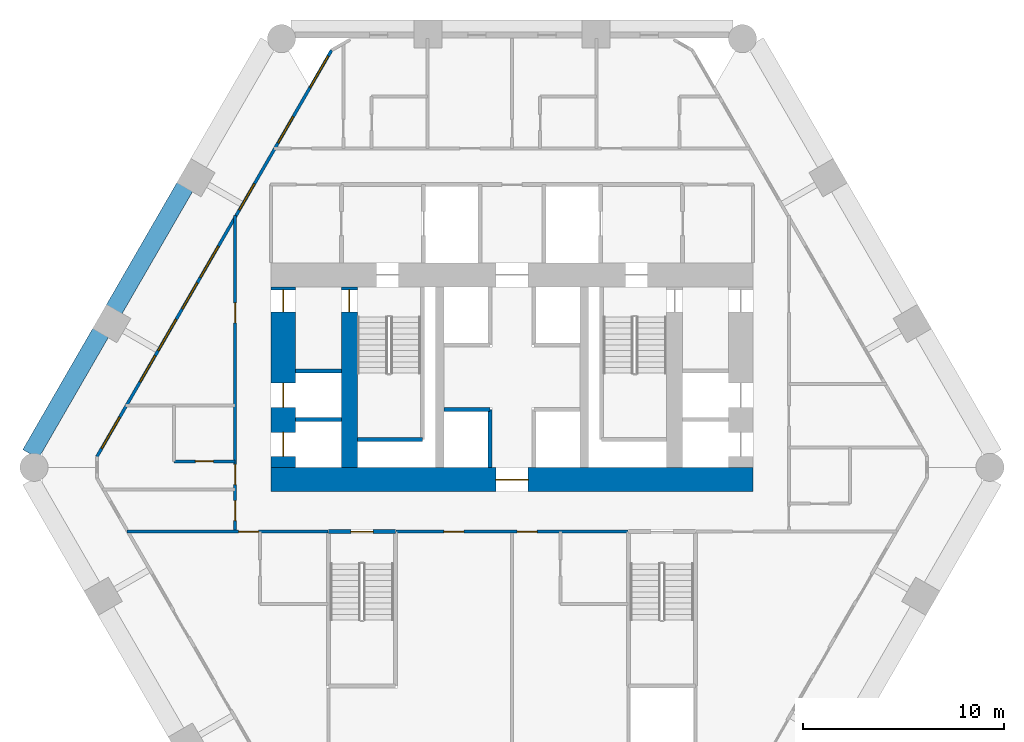
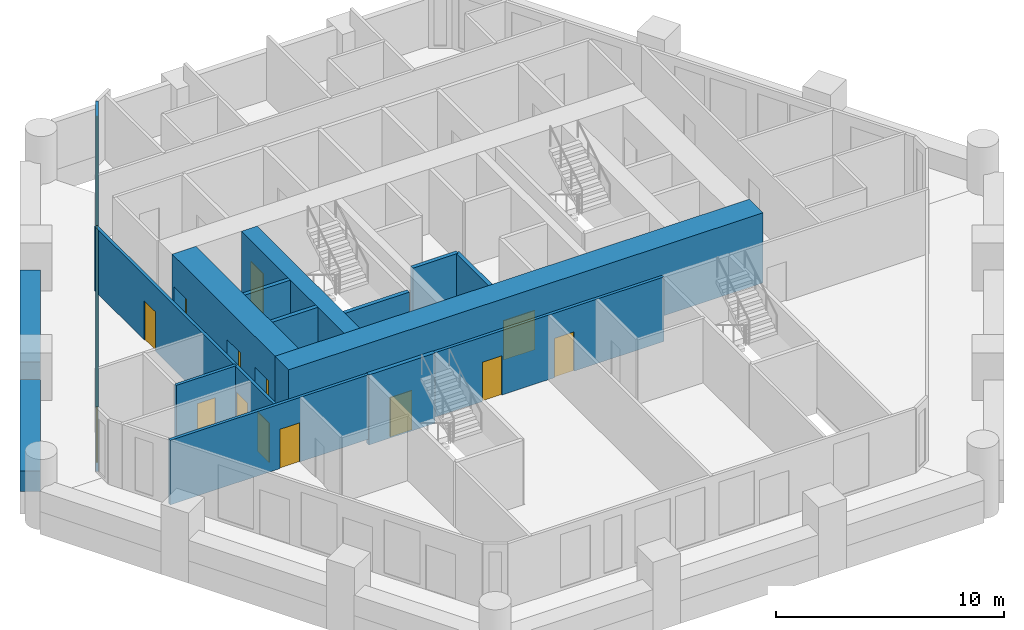
# One storey, part 3 of 8: 16 walls, 13 doors, 8 windows, 21 openings.
"""IFC4 building model written with IfcOpenShell, lengths in metres."""

from ifc_helpers import new_model, si_unit, direction, frame, frame_2d, origin, place, context, subcontext, project, spatial, rectangle, extrude, material, layer, layer_set, type_object, element, fill, save


model = new_model("IFC4")

# Units and contexts
model_context = context("Model", 3, precision=1e-05, world=origin(), true_north=direction((0.0, 1.0)))
body_context = subcontext(model_context, "Body", "Model", "MODEL_VIEW")
ifc_project = project(units=[si_unit("LENGTHUNIT", "METRE"), si_unit("AREAUNIT", "SQUARE_METRE"), si_unit("VOLUMEUNIT", "CUBIC_METRE"), si_unit("PLANEANGLEUNIT", "RADIAN"), si_unit("MASSUNIT", "GRAM", prefix="KILO")], contexts=[model_context])

# Site, building, storey
site_placement = place(None, origin())
site = spatial("IfcSite", under=ifc_project, at=site_placement, CompositionType="ELEMENT")
building_placement = place(site_placement, origin())
building = spatial("IfcBuilding", under=site, at=building_placement, Name="Ostrander Bayou Hotel Tower", CompositionType="ELEMENT")
storey_placement = place(building_placement, frame((0.0, 0.0, 54.25)))
storey = spatial("IfcBuildingStorey", under=building, at=storey_placement, Name="L13", CompositionType="ELEMENT", Elevation=54.25)

# Wall, opening, door
ifc_material_1 = material(Name="Concrete f'c 70 MPa", Category="concrete")
ifc_layer_1 = layer(ifc_material_1, 1.199951171875)
ifc_layer_set_1 = layer_set([ifc_layer_1], Name="CW1 core wall 1200 mm f'c 70 MPa")
wall_type_1 = type_object("IfcWallType", Name="CW1 core wall 1200 mm f'c 70 MPa", PredefinedType="SHEAR", material=ifc_layer_set_1)
wall_1_placement = place(storey_placement, frame((-12.0, -1.10009765625, -0.300048828125), z_axis=(0.0, 0.0, 1.0), x_axis=(1.0, 0.0, 0.0)))
wall_1 = element("IfcWall", 1, at=wall_1_placement, inside=storey, type_object=wall_type_1, Name="CW1 L13 S", PredefinedType="SHEAR", context=body_context, shape_type="SweptSolid", body=[
    extrude(rectangle(XDim=24.0, YDim=1.199951171875, at=frame_2d((12.0, 0.0))), origin(), (0.0, 0.0, 1.0), 3.75),
])
opening_1_placement = place(wall_1_placement, frame((11.199951171875, 0.0, 0.0)))
opening_1 = element("IfcOpeningElement", 2, at=opening_1_placement, cuts=wall_1, Name="Opening T12-001", PredefinedType="OPENING", context=body_context, shape_type="SweptSolid", body=[
    extrude(rectangle(XDim=1.60009765625, YDim=2.10009765625, at=frame_2d((0.800048828125, 1.050048828125))), frame((0.0, 0.60009765625, 0.0), z_axis=(0.0, -1.0, 0.0), x_axis=(1.0, 0.0, 0.0)), (0.0, 0.0, 1.0), 1.199951171875),
])
ifc_material_2 = material(Name="Timber door leaf", Category="wood")
door_type_1 = type_object("IfcDoorType", Name="D13 double door 1600 x 2100 mm, 1 hour", OperationType="SINGLE_SWING_LEFT", PredefinedType="DOOR", material=ifc_material_2)
door_1_placement = place(opening_1_placement, origin())
door_1 = element("IfcDoor", 3, at=door_1_placement, inside=storey, type_object=door_type_1, Name="dr:L13:001", OperationType="DOUBLE_DOOR_SINGLE_SWING", OverallHeight=2.10009765625, OverallWidth=1.60009765625, PredefinedType="DOOR", context=body_context, shape_type="SweptSolid", body=[
    extrude(rectangle(XDim=1.60009765625, YDim=2.10009765625, at=frame_2d((0.800048828125, 1.050048828125))), frame((0.0, 0.02490234375, 0.0), z_axis=(0.0, -1.0, 0.0), x_axis=(1.0, 0.0, 0.0)), (0.0, 0.0, 1.0), 0.050048828125),
])
fill(opening_1, door_1)

# Wall, openings, doors
wall_2_placement = place(storey_placement, frame((-11.39990234375, -0.5, -0.300048828125), z_axis=(0.0, 0.0, 1.0), x_axis=(0.0, 1.0, 0.0)))
wall_2 = element("IfcWall", 4, at=wall_2_placement, inside=storey, type_object=wall_type_1, Name="CW1 L13 RW", PredefinedType="SHEAR", context=body_context, shape_type="SweptSolid", body=[
    extrude(rectangle(XDim=9.0, YDim=1.199951171875, at=frame_2d((4.5, 0.0))), origin(), (0.0, 0.0, 1.0), 3.75),
])
opening_2_placement = place(wall_2_placement, frame((7.75, 0.0, 0.0)))
opening_2 = element("IfcOpeningElement", 5, at=opening_2_placement, cuts=wall_2, Name="Opening T12-014", PredefinedType="OPENING", context=body_context, shape_type="SweptSolid", body=[
    extrude(rectangle(XDim=1.10009765625, YDim=2.10009765625, at=frame_2d((0.550048828125, 1.050048828125))), frame((0.0, 0.60009765625, 0.0), z_axis=(0.0, -1.0, 0.0), x_axis=(1.0, 0.0, 0.0)), (0.0, 0.0, 1.0), 1.199951171875),
])
opening_3_placement = place(wall_2_placement, frame((0.550048828125, 0.0, 0.0)))
opening_3 = element("IfcOpeningElement", 6, at=opening_3_placement, cuts=wall_2, Name="Opening T12-015", PredefinedType="OPENING", context=body_context, shape_type="SweptSolid", body=[
    extrude(rectangle(XDim=1.199951171875, YDim=2.10009765625, at=frame_2d((0.60009765625, 1.050048828125))), frame((0.0, 0.60009765625, 0.0), z_axis=(0.0, -1.0, 0.0), x_axis=(1.0, 0.0, 0.0)), (0.0, 0.0, 1.0), 1.199951171875),
])
opening_4_placement = place(wall_2_placement, frame((3.0, 0.0, 0.0)))
opening_4 = element("IfcOpeningElement", 7, at=opening_4_placement, cuts=wall_2, Name="Opening T12-016", PredefinedType="OPENING", context=body_context, shape_type="SweptSolid", body=[
    extrude(rectangle(XDim=1.199951171875, YDim=2.10009765625, at=frame_2d((0.60009765625, 1.050048828125))), frame((0.0, 0.60009765625, 0.0), z_axis=(0.0, -1.0, 0.0), x_axis=(1.0, 0.0, 0.0)), (0.0, 0.0, 1.0), 1.199951171875),
])
ifc_material_3 = material(Name="Timber door leaf", Category="wood")
door_type_2 = type_object("IfcDoorType", Name="D5 stair door 1100 x 2100 mm, 90 minute", OperationType="SINGLE_SWING_LEFT", PredefinedType="DOOR", material=ifc_material_3)
door_2_placement = place(opening_2_placement, origin())
door_2 = element("IfcDoor", 8, at=door_2_placement, inside=storey, type_object=door_type_2, Name="dr:L13:014", OperationType="SINGLE_SWING_LEFT", OverallHeight=2.10009765625, OverallWidth=1.10009765625, PredefinedType="DOOR", context=body_context, shape_type="SweptSolid", body=[
    extrude(rectangle(XDim=1.10009765625, YDim=2.10009765625, at=frame_2d((0.550048828125, 1.050048828125))), frame((0.0, 0.02490234375, 0.0), z_axis=(0.0, -1.0, 0.0), x_axis=(1.0, 0.0, 0.0)), (0.0, 0.0, 1.0), 0.050048828125),
])
fill(opening_2, door_2)
ifc_material_4 = material(Name="Stainless steel sliding door", Category="steel")
door_type_3 = type_object("IfcDoorType", Name="LD1 lift landing door 1200 x 2100 mm", OperationType="SINGLE_SWING_LEFT", PredefinedType="DOOR", material=ifc_material_4)
door_3_placement = place(opening_3_placement, origin())
door_3 = element("IfcDoor", 9, at=door_3_placement, inside=storey, type_object=door_type_3, Name="dr:L13:015", OperationType="SLIDING_TO_LEFT", OverallHeight=2.10009765625, OverallWidth=1.199951171875, PredefinedType="DOOR", context=body_context, shape_type="SweptSolid", body=[
    extrude(rectangle(XDim=1.199951171875, YDim=2.10009765625, at=frame_2d((0.60009765625, 1.050048828125))), frame((0.0, 0.02490234375, 0.0), z_axis=(0.0, -1.0, 0.0), x_axis=(1.0, 0.0, 0.0)), (0.0, 0.0, 1.0), 0.050048828125),
])
fill(opening_3, door_3)
door_4_placement = place(opening_4_placement, origin())
door_4 = element("IfcDoor", 10, at=door_4_placement, inside=storey, type_object=door_type_3, Name="dr:L13:016", OperationType="SLIDING_TO_LEFT", OverallHeight=2.10009765625, OverallWidth=1.199951171875, PredefinedType="DOOR", context=body_context, shape_type="SweptSolid", body=[
    extrude(rectangle(XDim=1.199951171875, YDim=2.10009765625, at=frame_2d((0.60009765625, 1.050048828125))), frame((0.0, 0.02490234375, 0.0), z_axis=(0.0, -1.0, 0.0), x_axis=(1.0, 0.0, 0.0)), (0.0, 0.0, 1.0), 0.050048828125),
])
fill(opening_4, door_4)

# Wall, opening, door
ifc_material_5 = material(Name="Concrete f'c 70 MPa", Category="concrete")
ifc_layer_2 = layer(ifc_material_5, 0.800048828125)
ifc_layer_set_2 = layer_set([ifc_layer_2], Name="CW2 core spine wall 800 mm f'c 70 MPa")
wall_type_2 = type_object("IfcWallType", Name="CW2 core spine wall 800 mm f'c 70 MPa", PredefinedType="SHEAR", material=ifc_layer_set_2)
wall_3_placement = place(storey_placement, frame((-8.10009765625, -0.5, -0.300048828125), z_axis=(0.0, 0.0, 1.0), x_axis=(0.0, 1.0, 0.0)))
wall_3 = element("IfcWall", 11, at=wall_3_placement, inside=storey, type_object=wall_type_2, Name="CW2 L13 W", PredefinedType="SHEAR", context=body_context, shape_type="SweptSolid", body=[
    extrude(rectangle(XDim=9.0, YDim=0.800048828125, at=frame_2d((4.5, 0.0))), origin(), (0.0, 0.0, 1.0), 3.75),
])
opening_5_placement = place(wall_3_placement, frame((7.75, 0.0, 0.0)))
opening_5 = element("IfcOpeningElement", 12, at=opening_5_placement, cuts=wall_3, Name="Opening T12-004", PredefinedType="OPENING", context=body_context, shape_type="SweptSolid", body=[
    extrude(rectangle(XDim=1.10009765625, YDim=2.10009765625, at=frame_2d((0.550048828125, 1.050048828125))), frame((0.0, 0.39990234375, 0.0), z_axis=(0.0, -1.0, 0.0), x_axis=(1.0, 0.0, 0.0)), (0.0, 0.0, 1.0), 0.800048828125),
])
door_5_placement = place(opening_5_placement, origin())
door_5 = element("IfcDoor", 13, at=door_5_placement, inside=storey, type_object=door_type_2, Name="dr:L13:004", OperationType="SINGLE_SWING_RIGHT", OverallHeight=2.10009765625, OverallWidth=1.10009765625, PredefinedType="DOOR", context=body_context, shape_type="SweptSolid", body=[
    extrude(rectangle(XDim=1.10009765625, YDim=2.10009765625, at=frame_2d((0.550048828125, 1.050048828125))), frame((0.0, 0.02490234375, 0.0), z_axis=(0.0, -1.0, 0.0), x_axis=(1.0, 0.0, 0.0)), (0.0, 0.0, 1.0), 0.050048828125),
])
fill(opening_5, door_5)

# Wall, openings, windows
ifc_material_6 = material(Name="Aluminium framed insulated wall", Category="aluminium")
ifc_layer_3 = layer(ifc_material_6, 0.14990234375)
ifc_layer_set_3 = layer_set([ifc_layer_3], Name="GW1 glass-line wall 150 mm")
wall_type_3 = type_object("IfcWallType", Name="GW1 glass-line wall 150 mm", PredefinedType="SOLIDWALL", material=ifc_layer_set_3)
wall_4_placement = place(storey_placement, frame((-8.99267578125, 20.29248046875, 0.0), z_axis=(0.0, 0.0, 1.0), x_axis=(-0.49999960747, -0.866025630412, 0.0)))
wall_4 = element("IfcWall", 14, at=wall_4_placement, inside=storey, type_object=wall_type_3, Name="GW1 L13 NW 1", PredefinedType="SOLIDWALL", context=body_context, shape_type="SweptSolid", body=[
    extrude(rectangle(XDim=23.3837890625, YDim=0.14990234375, at=frame_2d((11.69189453125, 0.0))), origin(), (0.0, 0.0, 1.0), 3.449951171875),
])
opening_6_placement = place(wall_4_placement, frame((3.8251953125, 0.0, 0.14990234375)))
opening_6 = element("IfcOpeningElement", 15, at=opening_6_placement, cuts=wall_4, Name="Opening W11", PredefinedType="OPENING", context=body_context, shape_type="SweptSolid", body=[
    extrude(rectangle(XDim=1.5, YDim=2.85009765625, at=frame_2d((0.75, 1.425048828125))), frame((0.0, 0.074951171875, 0.0), z_axis=(0.0, -1.0, 0.0), x_axis=(1.0, 0.0, 0.0)), (0.0, 0.0, 1.0), 0.14990234375),
])
opening_7_placement = place(wall_4_placement, frame((7.686767578125, 0.0, 0.14990234375)))
opening_7 = element("IfcOpeningElement", 16, at=opening_7_placement, cuts=wall_4, Name="Opening W11", PredefinedType="OPENING", context=body_context, shape_type="SweptSolid", body=[
    extrude(rectangle(XDim=1.5, YDim=2.85009765625, at=frame_2d((0.75, 1.425048828125))), frame((0.0, 0.074951171875, 0.0), z_axis=(0.0, -1.0, 0.0), x_axis=(1.0, 0.0, 0.0)), (0.0, 0.0, 1.0), 0.14990234375),
])
opening_8_placement = place(wall_4_placement, frame((11.277587890625, 0.0, 0.14990234375)))
opening_8 = element("IfcOpeningElement", 17, at=opening_8_placement, cuts=wall_4, Name="Opening W1", PredefinedType="OPENING", context=body_context, shape_type="SweptSolid", body=[
    extrude(rectangle(XDim=1.800048828125, YDim=2.85009765625, at=frame_2d((0.89990234375, 1.425048828125))), frame((0.0, 0.074951171875, 0.0), z_axis=(0.0, -1.0, 0.0), x_axis=(1.0, 0.0, 0.0)), (0.0, 0.0, 1.0), 0.14990234375),
])
opening_9_placement = place(wall_4_placement, frame((13.37744140625, 0.0, 0.14990234375)))
opening_9 = element("IfcOpeningElement", 18, at=opening_9_placement, cuts=wall_4, Name="Opening W11", PredefinedType="OPENING", context=body_context, shape_type="SweptSolid", body=[
    extrude(rectangle(XDim=1.5, YDim=2.85009765625, at=frame_2d((0.75, 1.425048828125))), frame((0.0, 0.074951171875, 0.0), z_axis=(0.0, -1.0, 0.0), x_axis=(1.0, 0.0, 0.0)), (0.0, 0.0, 1.0), 0.14990234375),
])
opening_10_placement = place(wall_4_placement, frame((15.4775390625, 0.0, 0.14990234375)))
opening_10 = element("IfcOpeningElement", 19, at=opening_10_placement, cuts=wall_4, Name="Opening W1", PredefinedType="OPENING", context=body_context, shape_type="SweptSolid", body=[
    extrude(rectangle(XDim=1.800048828125, YDim=2.85009765625, at=frame_2d((0.89990234375, 1.425048828125))), frame((0.0, 0.074951171875, 0.0), z_axis=(0.0, -1.0, 0.0), x_axis=(1.0, 0.0, 0.0)), (0.0, 0.0, 1.0), 0.14990234375),
])
opening_11_placement = place(wall_4_placement, frame((17.577392578125, 0.0, 0.14990234375)))
opening_11 = element("IfcOpeningElement", 20, at=opening_11_placement, cuts=wall_4, Name="Opening W11", PredefinedType="OPENING", context=body_context, shape_type="SweptSolid", body=[
    extrude(rectangle(XDim=1.5, YDim=2.85009765625, at=frame_2d((0.75, 1.425048828125))), frame((0.0, 0.074951171875, 0.0), z_axis=(0.0, -1.0, 0.0), x_axis=(1.0, 0.0, 0.0)), (0.0, 0.0, 1.0), 0.14990234375),
])
opening_12_placement = place(wall_4_placement, frame((0.3388671875, 0.0, 0.14990234375)))
opening_12 = element("IfcOpeningElement", 21, at=opening_12_placement, cuts=wall_4, Name="Opening W1", PredefinedType="OPENING", context=body_context, shape_type="SweptSolid", body=[
    extrude(rectangle(XDim=1.800048828125, YDim=2.72998046875, at=frame_2d((0.89990234375, 1.364990234375))), frame((0.0, 0.074951171875, 0.0), z_axis=(0.0, -1.0, 0.0), x_axis=(1.0, 0.0, 0.0)), (0.0, 0.0, 1.0), 0.14990234375),
])
opening_13_placement = place(wall_4_placement, frame((21.11962890625, 0.0, 0.14990234375)))
opening_13 = element("IfcOpeningElement", 22, at=opening_13_placement, cuts=wall_4, Name="Opening W1", PredefinedType="OPENING", context=body_context, shape_type="SweptSolid", body=[
    extrude(rectangle(XDim=1.800048828125, YDim=2.72998046875, at=frame_2d((0.89990234375, 1.364990234375))), frame((0.0, 0.074951171875, 0.0), z_axis=(0.0, -1.0, 0.0), x_axis=(1.0, 0.0, 0.0)), (0.0, 0.0, 1.0), 0.14990234375),
])
ifc_material_7 = material(Name="Aluminium and clear glass", Category="aluminium")
window_type_1 = type_object("IfcWindowType", Name="W1 fixed window 1800 mm, zone 1", PartitioningType="SINGLE_PANEL", PredefinedType="WINDOW", material=ifc_material_7)
window_1_placement = place(opening_8_placement, origin())
window_1 = element("IfcWindow", 23, at=window_1_placement, inside=storey, type_object=window_type_1, Name="W1 L13 NW 3", OverallHeight=2.85009765625, OverallWidth=1.800048828125, PartitioningType="SINGLE_PANEL", PredefinedType="WINDOW", context=body_context, shape_type="SweptSolid", body=[
    extrude(rectangle(XDim=1.800048828125, YDim=2.85009765625, at=frame_2d((0.89990234375, 1.425048828125))), frame((0.0, 0.030029296875, 0.0), z_axis=(0.0, -1.0, 0.0), x_axis=(1.0, 0.0, 0.0)), (0.0, 0.0, 1.0), 0.06005859375),
])
fill(opening_8, window_1)
window_2_placement = place(opening_10_placement, origin())
window_2 = element("IfcWindow", 24, at=window_2_placement, inside=storey, type_object=window_type_1, Name="W1 L13 NW 4", OverallHeight=2.85009765625, OverallWidth=1.800048828125, PartitioningType="SINGLE_PANEL", PredefinedType="WINDOW", context=body_context, shape_type="SweptSolid", body=[
    extrude(rectangle(XDim=1.800048828125, YDim=2.85009765625, at=frame_2d((0.89990234375, 1.425048828125))), frame((0.0, 0.030029296875, 0.0), z_axis=(0.0, -1.0, 0.0), x_axis=(1.0, 0.0, 0.0)), (0.0, 0.0, 1.0), 0.06005859375),
])
fill(opening_10, window_2)
window_3_placement = place(opening_12_placement, origin())
window_3 = element("IfcWindow", 25, at=window_3_placement, inside=storey, type_object=window_type_1, Name="W1 L13 NW E11", OverallHeight=2.72998046875, OverallWidth=1.800048828125, PartitioningType="SINGLE_PANEL", PredefinedType="WINDOW", context=body_context, shape_type="SweptSolid", body=[
    extrude(rectangle(XDim=1.800048828125, YDim=2.72998046875, at=frame_2d((0.89990234375, 1.364990234375))), frame((0.0, 0.030029296875, 0.0), z_axis=(0.0, -1.0, 0.0), x_axis=(1.0, 0.0, 0.0)), (0.0, 0.0, 1.0), 0.06005859375),
])
fill(opening_12, window_3)
window_4_placement = place(opening_13_placement, origin())
window_4 = element("IfcWindow", 26, at=window_4_placement, inside=storey, type_object=window_type_1, Name="W1 L13 NW E22", OverallHeight=2.72998046875, OverallWidth=1.800048828125, PartitioningType="SINGLE_PANEL", PredefinedType="WINDOW", context=body_context, shape_type="SweptSolid", body=[
    extrude(rectangle(XDim=1.800048828125, YDim=2.72998046875, at=frame_2d((0.89990234375, 1.364990234375))), frame((0.0, 0.030029296875, 0.0), z_axis=(0.0, -1.0, 0.0), x_axis=(1.0, 0.0, 0.0)), (0.0, 0.0, 1.0), 0.06005859375),
])
fill(opening_13, window_4)
ifc_material_8 = material(Name="Aluminium and clear glass", Category="aluminium")
window_type_2 = type_object("IfcWindowType", Name="W11 fixed window 1500 mm, bath bay, zone 1", PartitioningType="SINGLE_PANEL", PredefinedType="WINDOW", material=ifc_material_8)
window_5_placement = place(opening_6_placement, origin())
window_5 = element("IfcWindow", 27, at=window_5_placement, inside=storey, type_object=window_type_2, Name="W11 L13 NW 1", OverallHeight=2.85009765625, OverallWidth=1.5, PartitioningType="SINGLE_PANEL", PredefinedType="WINDOW", context=body_context, shape_type="SweptSolid", body=[
    extrude(rectangle(XDim=1.5, YDim=2.85009765625, at=frame_2d((0.75, 1.425048828125))), frame((0.0, 0.030029296875, 0.0), z_axis=(0.0, -1.0, 0.0), x_axis=(1.0, 0.0, 0.0)), (0.0, 0.0, 1.0), 0.06005859375),
])
fill(opening_6, window_5)
window_6_placement = place(opening_7_placement, origin())
window_6 = element("IfcWindow", 28, at=window_6_placement, inside=storey, type_object=window_type_2, Name="W11 L13 NW 2", OverallHeight=2.85009765625, OverallWidth=1.5, PartitioningType="SINGLE_PANEL", PredefinedType="WINDOW", context=body_context, shape_type="SweptSolid", body=[
    extrude(rectangle(XDim=1.5, YDim=2.85009765625, at=frame_2d((0.75, 1.425048828125))), frame((0.0, 0.030029296875, 0.0), z_axis=(0.0, -1.0, 0.0), x_axis=(1.0, 0.0, 0.0)), (0.0, 0.0, 1.0), 0.06005859375),
])
fill(opening_7, window_6)
window_7_placement = place(opening_9_placement, origin())
window_7 = element("IfcWindow", 29, at=window_7_placement, inside=storey, type_object=window_type_2, Name="W11 L13 NW 3", OverallHeight=2.85009765625, OverallWidth=1.5, PartitioningType="SINGLE_PANEL", PredefinedType="WINDOW", context=body_context, shape_type="SweptSolid", body=[
    extrude(rectangle(XDim=1.5, YDim=2.85009765625, at=frame_2d((0.75, 1.425048828125))), frame((0.0, 0.030029296875, 0.0), z_axis=(0.0, -1.0, 0.0), x_axis=(1.0, 0.0, 0.0)), (0.0, 0.0, 1.0), 0.06005859375),
])
fill(opening_9, window_7)
window_8_placement = place(opening_11_placement, origin())
window_8 = element("IfcWindow", 30, at=window_8_placement, inside=storey, type_object=window_type_2, Name="W11 L13 NW 4", OverallHeight=2.85009765625, OverallWidth=1.5, PartitioningType="SINGLE_PANEL", PredefinedType="WINDOW", context=body_context, shape_type="SweptSolid", body=[
    extrude(rectangle(XDim=1.5, YDim=2.85009765625, at=frame_2d((0.75, 1.425048828125))), frame((0.0, 0.030029296875, 0.0), z_axis=(0.0, -1.0, 0.0), x_axis=(1.0, 0.0, 0.0)), (0.0, 0.0, 1.0), 0.06005859375),
])
fill(opening_11, window_8)

# Walls
ifc_material_9 = material(Name="Concrete f'c 40 MPa", Category="concrete")
ifc_layer_4 = layer(ifc_material_9, 0.89990234375)
ifc_layer_set_4 = layer_set([ifc_layer_4], Name="PA1 stone-faced parapet 900 mm")
wall_type_4 = type_object("IfcWallType", Name="PA1 stone-faced parapet 900 mm", PredefinedType="PARAPET", material=ifc_layer_set_4)
wall_5_placement = place(storey_placement, frame((-16.3017578125, 13.482666015625, 0.0), z_axis=(0.0, 0.0, 1.0), x_axis=(-0.499997206141, -0.866027016814, 0.0)))
element("IfcWall", 31, at=wall_5_placement, inside=storey, type_object=wall_type_4, Name="PA1 L13 NW-2", PredefinedType="PARAPET", context=body_context, shape_type="SweptSolid", body=[
    extrude(rectangle(XDim=7.05078125, YDim=0.89990234375, at=frame_2d((3.525390625, 0.0))), origin(), (0.0, 0.0, 1.0), 1.10009765625),
])
wall_6_placement = place(storey_placement, frame((-20.497314453125, 6.216064453125, 0.0), z_axis=(0.0, 0.0, 1.0), x_axis=(-0.499983583635, -0.86603488157, 0.0)))
element("IfcWall", 32, at=wall_6_placement, inside=storey, type_object=wall_type_4, Name="PA1 L13 NW-3", PredefinedType="PARAPET", context=body_context, shape_type="SweptSolid", body=[
    extrude(rectangle(XDim=6.987060546875, YDim=0.89990234375, at=frame_2d((3.49365234375, 0.0))), origin(), (0.0, 0.0, 1.0), 1.10009765625),
])
ifc_material_10 = material(Name="Masonry block", Category="masonry")
ifc_layer_5 = layer(ifc_material_10, 0.199951171875)
ifc_layer_set_5 = layer_set([ifc_layer_5], Name="PT6 lift shaft wall 200 mm masonry, 2 hour")
wall_type_5 = type_object("IfcWallType", Name="PT6 lift shaft wall 200 mm masonry, 2 hour", PredefinedType="PARTITIONING", material=ifc_layer_set_5)
wall_7_placement = place(storey_placement, frame((-3.39990234375, 2.39990234375, 0.0), z_axis=(0.0, 0.0, 1.0), x_axis=(1.0, 0.0, 0.0)))
element("IfcWall", 33, at=wall_7_placement, inside=storey, type_object=wall_type_5, Name="cs:L13:001", PredefinedType="PARTITIONING", context=body_context, shape_type="SweptSolid", body=[
    extrude(rectangle(XDim=2.2998046875, YDim=0.199951171875, at=frame_2d((1.14990234375, 0.0))), origin(), (0.0, 0.0, 1.0), 3.449951171875),
])
wall_8_placement = place(storey_placement, frame((-1.10009765625, -0.5, 0.0), z_axis=(0.0, 0.0, 1.0), x_axis=(0.0, 1.0, 0.0)))
element("IfcWall", 34, at=wall_8_placement, inside=storey, type_object=wall_type_5, Name="cs:L13:005", PredefinedType="PARTITIONING", context=body_context, shape_type="SweptSolid", body=[
    extrude(rectangle(XDim=2.89990234375, YDim=0.199951171875, at=frame_2d((1.449951171875, 0.0))), origin(), (0.0, 0.0, 1.0), 3.449951171875),
])
for number, where, z_axis, x_axis, name in (
    (35, (-10.800048828125, 1.89990234375, 0.0), (0.0, 0.0, 1.0), (1.0, 0.0, 0.0), "cs:L13:030"),
    (36, (-10.800048828125, 4.300048828125, 0.0), (0.0, 0.0, 1.0), (1.0, 0.0, 0.0), "cs:L13:031"),
):
    element("IfcWall", number, at=place(storey_placement, frame(where, z_axis=z_axis, x_axis=x_axis)), inside=storey, type_object=wall_type_5, Name=name, PredefinedType="PARTITIONING", context=body_context, shape_type="SweptSolid", body=[
        extrude(rectangle(XDim=2.300048828125, YDim=0.199951171875, at=frame_2d((1.14990234375, 0.0))), origin(), (0.0, 0.0, 1.0), 3.449951171875),
    ])

# Wall, opening, door
ifc_material_11 = material(Name="Gypsum board partition", Category="finish")
ifc_layer_6 = layer(ifc_material_11, 0.14990234375)
ifc_layer_set_6 = layer_set([ifc_layer_6], Name="PT8 service band wall 150 mm, 1 hour")
wall_type_6 = type_object("IfcWallType", Name="PT8 service band wall 150 mm, 1 hour", PredefinedType="PARTITIONING", material=ifc_layer_set_6)
wall_9_placement = place(storey_placement, frame((-19.19091796875, -3.699951171875, 0.0), z_axis=(0.0, 0.0, 1.0), x_axis=(1.0, 0.0, 0.0)))
wall_9 = element("IfcWall", 37, at=wall_9_placement, inside=storey, type_object=wall_type_6, Name="gw:L13:003", PredefinedType="PARTITIONING", context=body_context, shape_type="SweptSolid", body=[
    extrude(rectangle(XDim=10.031005859375, YDim=0.14990234375, at=frame_2d((5.015625, 0.0))), origin(), (0.0, 0.0, 1.0), 3.449951171875),
])
opening_14_placement = place(wall_9_placement, frame((5.56591796875, 0.0, 0.0)))
opening_14 = element("IfcOpeningElement", 38, at=opening_14_placement, cuts=wall_9, Name="Opening T12-401", PredefinedType="OPENING", context=body_context, shape_type="SweptSolid", body=[
    extrude(rectangle(XDim=1.0, YDim=2.10009765625, at=frame_2d((0.5, 1.050048828125))), frame((0.0, 0.074951171875, 0.0), z_axis=(0.0, -1.0, 0.0), x_axis=(1.0, 0.0, 0.0)), (0.0, 0.0, 1.0), 0.14990234375),
])
ifc_material_12 = material(Name="Timber door leaf", Category="wood")
door_type_4 = type_object("IfcDoorType", Name="D1 guest room door 1000 x 2100 mm, 30 minute", OperationType="SINGLE_SWING_LEFT", PredefinedType="DOOR", material=ifc_material_12)
door_6_placement = place(opening_14_placement, origin())
door_6 = element("IfcDoor", 39, at=door_6_placement, inside=storey, type_object=door_type_4, Name="dr:L13:401", OperationType="SINGLE_SWING_LEFT", OverallHeight=2.10009765625, OverallWidth=1.0, PredefinedType="DOOR", context=body_context, shape_type="SweptSolid", body=[
    extrude(rectangle(XDim=1.0, YDim=2.10009765625, at=frame_2d((0.5, 1.050048828125))), frame((0.0, 0.02490234375, 0.0), z_axis=(0.0, -1.0, 0.0), x_axis=(1.0, 0.0, 0.0)), (0.0, 0.0, 1.0), 0.050048828125),
])
fill(opening_14, door_6)

# Wall, openings, doors
wall_10_placement = place(storey_placement, frame((-5.7900390625, -3.699951171875, 0.0), z_axis=(0.0, 0.0, 1.0), x_axis=(1.0, 0.0, 0.0)))
wall_10 = element("IfcWall", 40, at=wall_10_placement, inside=storey, type_object=wall_type_6, Name="gw:L13:004", PredefinedType="PARTITIONING", context=body_context, shape_type="SweptSolid", body=[
    extrude(rectangle(XDim=11.580078125, YDim=0.14990234375, at=frame_2d((5.7900390625, 0.0))), origin(), (0.0, 0.0, 1.0), 3.449951171875),
])
opening_15_placement = place(wall_10_placement, frame((2.389892578125, 0.0, 0.0)))
opening_15 = element("IfcOpeningElement", 41, at=opening_15_placement, cuts=wall_10, Name="Opening T12-400", PredefinedType="OPENING", context=body_context, shape_type="SweptSolid", body=[
    extrude(rectangle(XDim=1.0, YDim=2.10009765625, at=frame_2d((0.5, 1.050048828125))), frame((0.0, 0.074951171875, 0.0), z_axis=(0.0, -1.0, 0.0), x_axis=(1.0, 0.0, 0.0)), (0.0, 0.0, 1.0), 0.14990234375),
])
opening_16_placement = place(wall_10_placement, frame((6.0400390625, 0.0, 0.0)))
opening_16 = element("IfcOpeningElement", 42, at=opening_16_placement, cuts=wall_10, Name="Opening T12-403", PredefinedType="OPENING", context=body_context, shape_type="SweptSolid", body=[
    extrude(rectangle(XDim=1.0, YDim=2.10009765625, at=frame_2d((0.5, 1.050048828125))), frame((0.0, 0.074951171875, 0.0), z_axis=(0.0, -1.0, 0.0), x_axis=(1.0, 0.0, 0.0)), (0.0, 0.0, 1.0), 0.14990234375),
])
door_7_placement = place(opening_16_placement, origin())
door_7 = element("IfcDoor", 43, at=door_7_placement, inside=storey, type_object=door_type_4, Name="dr:L13:403", OperationType="SINGLE_SWING_LEFT", OverallHeight=2.10009765625, OverallWidth=1.0, PredefinedType="DOOR", context=body_context, shape_type="SweptSolid", body=[
    extrude(rectangle(XDim=1.0, YDim=2.10009765625, at=frame_2d((0.5, 1.050048828125))), frame((0.0, 0.02490234375, 0.0), z_axis=(0.0, -1.0, 0.0), x_axis=(1.0, 0.0, 0.0)), (0.0, 0.0, 1.0), 0.050048828125),
])
fill(opening_16, door_7)
ifc_material_13 = material(Name="Timber door leaf", Category="wood")
door_type_5 = type_object("IfcDoorType", Name="D9 service door 1000 x 2100 mm, 30 minute", OperationType="SINGLE_SWING_LEFT", PredefinedType="DOOR", material=ifc_material_13)
door_8_placement = place(opening_15_placement, origin())
door_8 = element("IfcDoor", 44, at=door_8_placement, inside=storey, type_object=door_type_5, Name="dr:L13:400", OperationType="SINGLE_SWING_RIGHT", OverallHeight=2.10009765625, OverallWidth=1.0, PredefinedType="DOOR", context=body_context, shape_type="SweptSolid", body=[
    extrude(rectangle(XDim=1.0, YDim=2.10009765625, at=frame_2d((0.5, 1.050048828125))), frame((0.0, 0.02490234375, 0.0), z_axis=(0.0, -1.0, 0.0), x_axis=(1.0, 0.0, 0.0)), (0.0, 0.0, 1.0), 0.050048828125),
])
fill(opening_15, door_8)

# Wall, opening, door
wall_11_placement = place(storey_placement, frame((-16.85009765625, -0.199951171875, 0.0), z_axis=(0.0, 0.0, 1.0), x_axis=(1.0, 0.0, 0.0)))
wall_11 = element("IfcWall", 45, at=wall_11_placement, inside=storey, type_object=wall_type_6, Name="gw:L13:008", PredefinedType="PARTITIONING", context=body_context, shape_type="SweptSolid", body=[
    extrude(rectangle(XDim=3.050048828125, YDim=0.14990234375, at=frame_2d((1.52490234375, 0.0))), origin(), (0.0, 0.0, 1.0), 3.449951171875),
])
opening_17_placement = place(wall_11_placement, frame((1.074951171875, 0.0, 0.0)))
opening_17 = element("IfcOpeningElement", 46, at=opening_17_placement, cuts=wall_11, Name="Opening T12-408", PredefinedType="OPENING", context=body_context, shape_type="SweptSolid", body=[
    extrude(rectangle(XDim=0.89990234375, YDim=2.10009765625, at=frame_2d((0.449951171875, 1.050048828125))), frame((0.0, 0.074951171875, 0.0), z_axis=(0.0, -1.0, 0.0), x_axis=(1.0, 0.0, 0.0)), (0.0, 0.0, 1.0), 0.14990234375),
])
ifc_material_14 = material(Name="Timber door leaf", Category="wood")
door_type_6 = type_object("IfcDoorType", Name="D14 bathroom door 900 x 2100 mm", OperationType="SINGLE_SWING_LEFT", PredefinedType="DOOR", material=ifc_material_14)
door_9_placement = place(opening_17_placement, origin())
door_9 = element("IfcDoor", 47, at=door_9_placement, inside=storey, type_object=door_type_6, Name="dr:L13:408", OperationType="SINGLE_SWING_RIGHT", OverallHeight=2.10009765625, OverallWidth=0.89990234375, PredefinedType="DOOR", context=body_context, shape_type="SweptSolid", body=[
    extrude(rectangle(XDim=0.89990234375, YDim=2.10009765625, at=frame_2d((0.449951171875, 1.050048828125))), frame((0.0, 0.02490234375, 0.0), z_axis=(0.0, -1.0, 0.0), x_axis=(1.0, 0.0, 0.0)), (0.0, 0.0, 1.0), 0.050048828125),
])
fill(opening_17, door_9)

# Wall, openings, doors
wall_12_placement = place(storey_placement, frame((-13.800048828125, -3.699951171875, 0.0), z_axis=(0.0, 0.0, 1.0), x_axis=(0.0, 1.0, 0.0)))
wall_12 = element("IfcWall", 48, at=wall_12_placement, inside=storey, type_object=wall_type_6, Name="gw:L13:035", PredefinedType="PARTITIONING", context=body_context, shape_type="SweptSolid", body=[
    extrude(rectangle(XDim=15.755859375, YDim=0.14990234375, at=frame_2d((7.8779296875, 0.0))), origin(), (0.0, 0.0, 1.0), 3.449951171875),
])
opening_18_placement = place(wall_12_placement, frame((0.550048828125, 0.0, 0.0)))
opening_18 = element("IfcOpeningElement", 49, at=opening_18_placement, cuts=wall_12, Name="Opening T12-406", PredefinedType="OPENING", context=body_context, shape_type="SweptSolid", body=[
    extrude(rectangle(XDim=1.0, YDim=2.10009765625, at=frame_2d((0.5, 1.050048828125))), frame((0.0, 0.074951171875, 0.0), z_axis=(0.0, -1.0, 0.0), x_axis=(1.0, 0.0, 0.0)), (0.0, 0.0, 1.0), 0.14990234375),
])
opening_19_placement = place(wall_12_placement, frame((2.35009765625, 0.0, 0.0)))
opening_19 = element("IfcOpeningElement", 50, at=opening_19_placement, cuts=wall_12, Name="Opening T12-407", PredefinedType="OPENING", context=body_context, shape_type="SweptSolid", body=[
    extrude(rectangle(XDim=1.0, YDim=2.10009765625, at=frame_2d((0.5, 1.050048828125))), frame((0.0, 0.074951171875, 0.0), z_axis=(0.0, -1.0, 0.0), x_axis=(1.0, 0.0, 0.0)), (0.0, 0.0, 1.0), 0.14990234375),
])
opening_20_placement = place(wall_12_placement, frame((10.406982421875, 0.0, 0.0)))
opening_20 = element("IfcOpeningElement", 51, at=opening_20_placement, cuts=wall_12, Name="Opening T12-409", PredefinedType="OPENING", context=body_context, shape_type="SweptSolid", body=[
    extrude(rectangle(XDim=1.0, YDim=2.10009765625, at=frame_2d((0.5, 1.050048828125))), frame((0.0, 0.074951171875, 0.0), z_axis=(0.0, -1.0, 0.0), x_axis=(1.0, 0.0, 0.0)), (0.0, 0.0, 1.0), 0.14990234375),
])
door_10_placement = place(opening_19_placement, origin())
door_10 = element("IfcDoor", 52, at=door_10_placement, inside=storey, type_object=door_type_4, Name="dr:L13:407", OperationType="SINGLE_SWING_LEFT", OverallHeight=2.10009765625, OverallWidth=1.0, PredefinedType="DOOR", context=body_context, shape_type="SweptSolid", body=[
    extrude(rectangle(XDim=1.0, YDim=2.10009765625, at=frame_2d((0.5, 1.050048828125))), frame((0.0, 0.02490234375, 0.0), z_axis=(0.0, -1.0, 0.0), x_axis=(1.0, 0.0, 0.0)), (0.0, 0.0, 1.0), 0.050048828125),
])
fill(opening_19, door_10)
door_11_placement = place(opening_18_placement, origin())
door_11 = element("IfcDoor", 53, at=door_11_placement, inside=storey, type_object=door_type_5, Name="dr:L13:406", OperationType="SINGLE_SWING_LEFT", OverallHeight=2.10009765625, OverallWidth=1.0, PredefinedType="DOOR", context=body_context, shape_type="SweptSolid", body=[
    extrude(rectangle(XDim=1.0, YDim=2.10009765625, at=frame_2d((0.5, 1.050048828125))), frame((0.0, 0.02490234375, 0.0), z_axis=(0.0, -1.0, 0.0), x_axis=(1.0, 0.0, 0.0)), (0.0, 0.0, 1.0), 0.050048828125),
])
fill(opening_18, door_11)
door_12_placement = place(opening_20_placement, origin())
door_12 = element("IfcDoor", 54, at=door_12_placement, inside=storey, type_object=door_type_5, Name="dr:L13:409", OperationType="SINGLE_SWING_LEFT", OverallHeight=2.10009765625, OverallWidth=1.0, PredefinedType="DOOR", context=body_context, shape_type="SweptSolid", body=[
    extrude(rectangle(XDim=1.0, YDim=2.10009765625, at=frame_2d((0.5, 1.050048828125))), frame((0.0, 0.02490234375, 0.0), z_axis=(0.0, -1.0, 0.0), x_axis=(1.0, 0.0, 0.0)), (0.0, 0.0, 1.0), 0.050048828125),
])
fill(opening_20, door_12)

# Wall
ifc_material_15 = material(Name="Concrete f'c 45 MPa", Category="concrete")
ifc_layer_7 = layer(ifc_material_15, 0.199951171875)
ifc_layer_set_7 = layer_set([ifc_layer_7], Name="SW5 stair enclosure wall 200 mm f'c 45 MPa")
wall_type_7 = type_object("IfcWallType", Name="SW5 stair enclosure wall 200 mm f'c 45 MPa", PredefinedType="SOLIDWALL", material=ifc_layer_set_7)
wall_13_placement = place(storey_placement, frame((-7.699951171875, 0.89990234375, -0.300048828125), z_axis=(0.0, 0.0, 1.0), x_axis=(1.0, 0.0, 0.0)))
element("IfcWall", 55, at=wall_13_placement, inside=storey, type_object=wall_type_7, Name="cs:L13:010", PredefinedType="SOLIDWALL", context=body_context, shape_type="SweptSolid", body=[
    extrude(rectangle(XDim=3.25, YDim=0.199951171875, at=frame_2d((1.625, 0.0))), origin(), (0.0, 0.0, 1.0), 3.75),
])

# Wall, opening, door
wall_14_placement = place(storey_placement, frame((-9.14990234375, -3.699951171875, -0.300048828125), z_axis=(0.0, 0.0, 1.0), x_axis=(1.0, 0.0, 0.0)))
wall_14 = element("IfcWall", 56, at=wall_14_placement, inside=storey, type_object=wall_type_7, Name="cs:L13:019", PredefinedType="SOLIDWALL", context=body_context, shape_type="SweptSolid", body=[
    extrude(rectangle(XDim=3.349853515625, YDim=0.199951171875, at=frame_2d((1.6748046875, 0.0))), origin(), (0.0, 0.0, 1.0), 3.75),
])
opening_21_placement = place(wall_14_placement, frame((1.125, 0.0, 0.0)))
opening_21 = element("IfcOpeningElement", 57, at=opening_21_placement, cuts=wall_14, Name="Opening T12-008", PredefinedType="OPENING", context=body_context, shape_type="SweptSolid", body=[
    extrude(rectangle(XDim=1.10009765625, YDim=2.10009765625, at=frame_2d((0.550048828125, 1.050048828125))), frame((0.0, 0.10009765625, 0.0), z_axis=(0.0, -1.0, 0.0), x_axis=(1.0, 0.0, 0.0)), (0.0, 0.0, 1.0), 0.199951171875),
])
door_13_placement = place(opening_21_placement, origin())
door_13 = element("IfcDoor", 58, at=door_13_placement, inside=storey, type_object=door_type_2, Name="dr:L13:008", OperationType="SINGLE_SWING_LEFT", OverallHeight=2.10009765625, OverallWidth=1.10009765625, PredefinedType="DOOR", context=body_context, shape_type="SweptSolid", body=[
    extrude(rectangle(XDim=1.10009765625, YDim=2.10009765625, at=frame_2d((0.550048828125, 1.050048828125))), frame((0.0, 0.02490234375, 0.0), z_axis=(0.0, -1.0, 0.0), x_axis=(1.0, 0.0, 0.0)), (0.0, 0.0, 1.0), 0.050048828125),
])
fill(opening_21, door_13)

save(model, "model.ifc")
